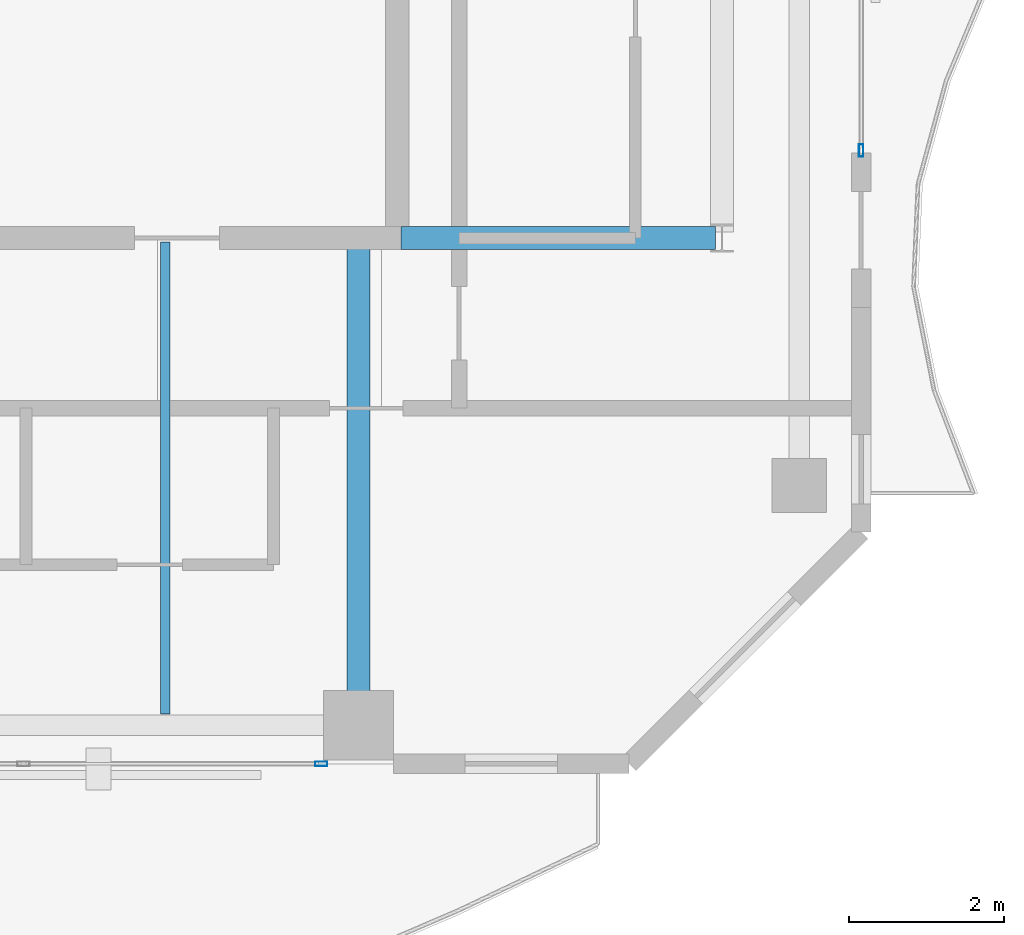
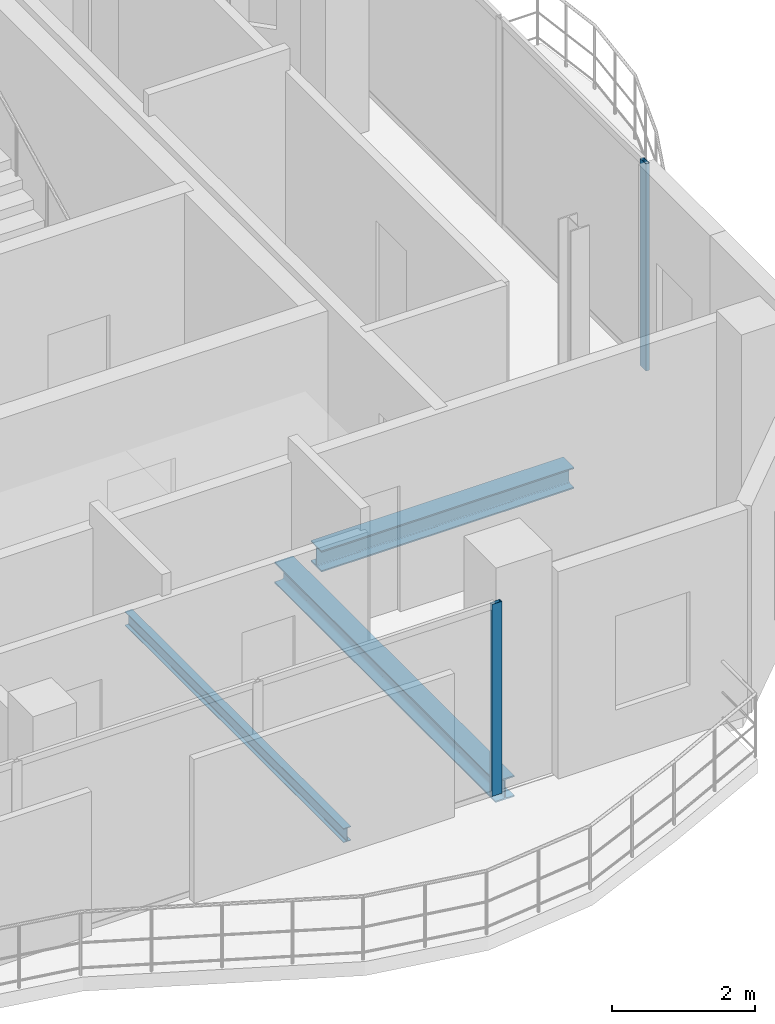
# One storey, part 14 of 23: 3 beams, 2 members, 2 elements without a shape of their own.
"""IFC4 building model written with IfcOpenShell, lengths in metres."""

from ifc_helpers import new_model, si_unit, direction, frame, origin, origin_2d, place, context, subcontext, project, spatial, hollow_rectangle, i_section, extrude, material, layer, layer_set, material_profile, profile_set, type_object, element, aggregate, save


model = new_model("IFC4")

# Units and contexts
model_context = context("Model", 3, precision=1e-05, world=origin(), true_north=direction((0.0, 1.0)))
body_context = subcontext(model_context, "Body", "Model", "MODEL_VIEW")
ifc_project = project(units=[si_unit("LENGTHUNIT", "METRE"), si_unit("AREAUNIT", "SQUARE_METRE"), si_unit("VOLUMEUNIT", "CUBIC_METRE"), si_unit("PLANEANGLEUNIT", "RADIAN"), si_unit("MASSUNIT", "GRAM", prefix="KILO")], contexts=[model_context])

# Site, building, storey
site_placement = place(None, origin())
site = spatial("IfcSite", under=ifc_project, at=site_placement, CompositionType="ELEMENT")
building_placement = place(site_placement, origin())
building = spatial("IfcBuilding", under=site, at=building_placement, Name="Catumbela Crestline Tower", CompositionType="ELEMENT")
storey_placement = place(building_placement, frame((0.0, 0.0, 252.6)))
storey = spatial("IfcBuildingStorey", under=building, at=storey_placement, Name="L65", CompositionType="ELEMENT", Elevation=252.6)

# Beams
ifc_material_1 = material(Name="Structural steel S355J2", Category="steel")
ifc_material_profile_1 = material_profile(ifc_material_1, i_section(OverallWidth=0.3, OverallDepth=0.36, WebThickness=0.0125, FlangeThickness=0.0225, FilletRadius=0.027, at=origin_2d()), Name="HEB 360")
ifc_profile_set_1 = profile_set([ifc_material_profile_1], Name="Structural steel S355J2")
beam_type_1 = type_object("IfcBeamType", Name="BG-HEB360", PredefinedType="BEAM", material=ifc_profile_set_1)
beam_1_placement = place(storey_placement, frame((40.05, 30.8, -0.44), z_axis=(1.0, 0.0, 0.0), x_axis=(0.0, 1.0, 0.0)))
element("IfcBeam", 1, at=beam_1_placement, inside=storey, type_object=beam_type_1, Name="L65 Beam BM-L65-M08", PredefinedType="BEAM", context=body_context, shape_type="SweptSolid", body=[
    extrude(i_section(OverallWidth=0.3, OverallDepth=0.36, WebThickness=0.0125, FlangeThickness=0.0225, FilletRadius=0.027, at=origin_2d()), origin(), (0.0, 0.0, 1.0), 4.07),
])
beam_2_placement = place(storey_placement, frame((39.5, 24.58, -0.44), z_axis=(0.0, 1.0, 0.0), x_axis=(-1.0, 0.0, 0.0)))
element("IfcBeam", 2, at=beam_2_placement, inside=storey, type_object=beam_type_1, Name="L65 Beam BM-L65-SNS18", PredefinedType="BEAM", context=body_context, shape_type="SweptSolid", body=[
    extrude(i_section(OverallWidth=0.3, OverallDepth=0.36, WebThickness=0.0125, FlangeThickness=0.0225, FilletRadius=0.027, at=origin_2d()), origin(), (0.0, 0.0, 1.0), 6.17),
])
ifc_material_profile_2 = material_profile(ifc_material_1, i_section(OverallWidth=0.12, OverallDepth=0.24, WebThickness=0.0062, FlangeThickness=0.0098, FilletRadius=0.015, at=origin_2d()), Name="IPE 240")
ifc_profile_set_2 = profile_set([ifc_material_profile_2], Name="Structural steel S355J2")
beam_type_2 = type_object("IfcBeamType", Name="BJ-IPE240", PredefinedType="JOIST", material=ifc_profile_set_2)
beam_3_placement = place(storey_placement, frame((37.0, 24.647, -0.38), z_axis=(0.0, 1.0, 0.0), x_axis=(-1.0, 0.0, 0.0)))
element("IfcBeam", 3, at=beam_3_placement, inside=storey, type_object=beam_type_2, Name="L65 Joist JS-L65-SP26", PredefinedType="JOIST", context=body_context, shape_type="SweptSolid", body=[
    extrude(i_section(OverallWidth=0.12, OverallDepth=0.24, WebThickness=0.0062, FlangeThickness=0.0098, FilletRadius=0.015, at=origin_2d()), origin(), (0.0, 0.0, 1.0), 6.103),
])

# Curtain wall, member
ifc_material_2 = material(Name="Aluminium alloy AW-6060-T66", Category="aluminium")
ifc_layer = layer(ifc_material_2, 0.18, Name="Aluminium alloy AW-6060-T66")
ifc_layer_set = layer_set([ifc_layer], Name="Aluminium alloy AW-6060-T66")
curtain_wall_type = type_object("IfcCurtainWallType", Name="CWU-Z4", PredefinedType="USERDEFINED", material=ifc_layer_set)
curtain_wall_1_placement = place(storey_placement, origin())
curtain_wall_1 = element("IfcCurtainWall", 4, at=curtain_wall_1_placement, inside=storey, type_object=curtain_wall_type, Name="L65 Unitised Curtain Wall CW-L65-E3S2", ObjectType="UNITISED", PredefinedType="USERDEFINED")
ifc_material_profile_3 = material_profile(ifc_material_2, hollow_rectangle(XDim=0.06, YDim=0.16, WallThickness=0.004, at=origin_2d()), Name="ALU 160x60x4")
ifc_profile_set_3 = profile_set([ifc_material_profile_3], Name="Aluminium alloy AW-6060-T66")
member_type = type_object("IfcMemberType", Name="MUL-160X60", PredefinedType="MULLION", material=ifc_profile_set_3)
member_1_placement = place(storey_placement, frame((39.0175, 24.0, 0.0), z_axis=(0.0, 0.0, 1.0), x_axis=(0.0, 1.0, 0.0)))
member_1 = element("IfcMember", 5, at=member_1_placement, type_object=member_type, Name="CWU-Z4 mullion 4", PredefinedType="MULLION", context=body_context, shape_type="SweptSolid", body=[
    extrude(hollow_rectangle(XDim=0.06, YDim=0.16, WallThickness=0.004, at=origin_2d()), origin(), (0.0, 0.0, 1.0), 3.27),
])
aggregate(curtain_wall_1, [member_1])

curtain_wall_2_placement = place(storey_placement, origin())
curtain_wall_2 = element("IfcCurtainWall", 6, at=curtain_wall_2_placement, inside=storey, type_object=curtain_wall_type, Name="L65 Unitised Curtain Wall CW-L65-E5S2", ObjectType="UNITISED", PredefinedType="USERDEFINED")
member_2_placement = place(storey_placement, frame((46.0, 31.9325, 0.0), z_axis=(0.0, 0.0, 1.0), x_axis=(-1.0, 0.0, 0.0)))
member_2 = element("IfcMember", 7, at=member_2_placement, type_object=member_type, Name="CWU-Z4 mullion 1", PredefinedType="MULLION", context=body_context, shape_type="SweptSolid", body=[
    extrude(hollow_rectangle(XDim=0.06, YDim=0.16, WallThickness=0.004, at=origin_2d()), origin(), (0.0, 0.0, 1.0), 3.53),
])
aggregate(curtain_wall_2, [member_2])

save(model, "model.ifc")
